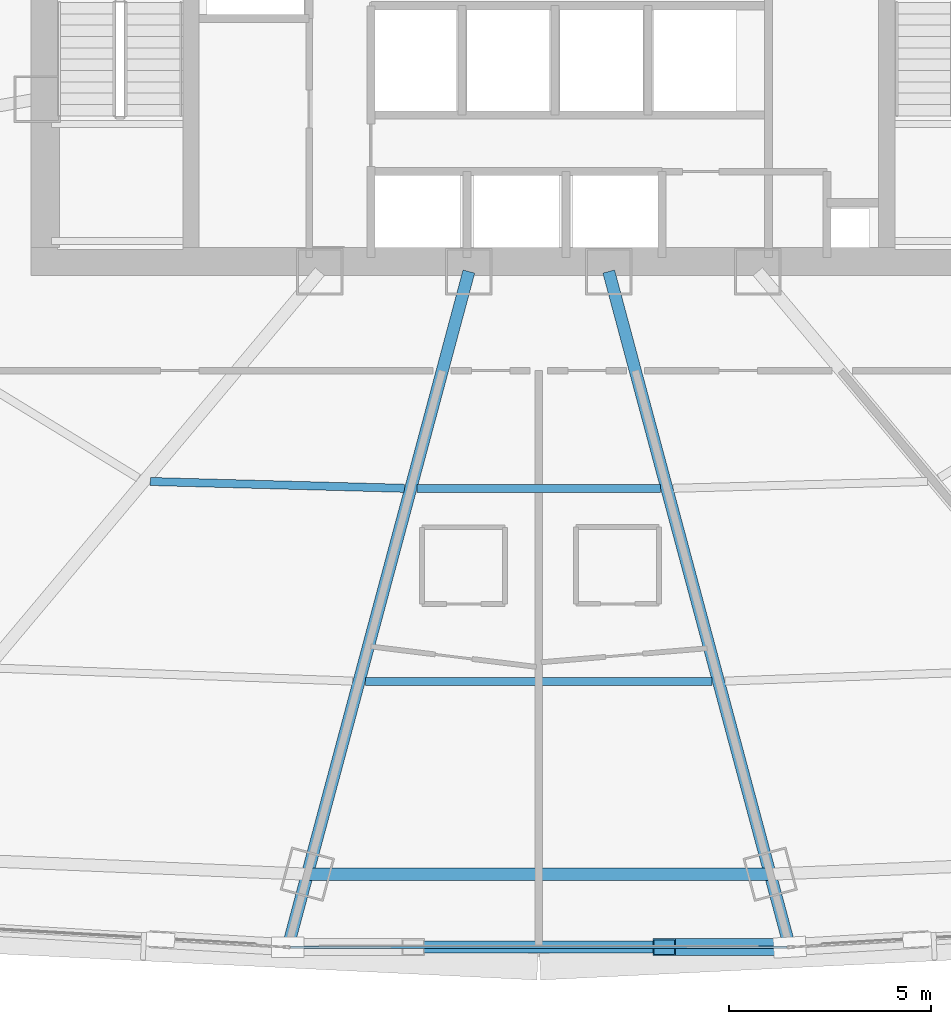
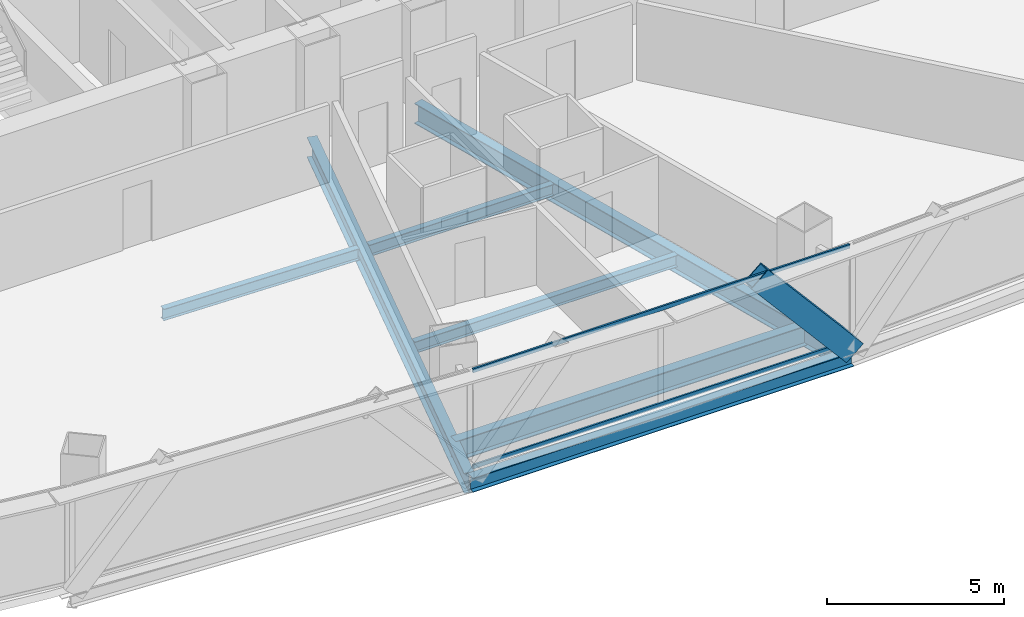
# One storey, part 9 of 38: 7 beams, 3 members, 1 element without a shape of its own.
"""IFC4 building model written with IfcOpenShell, lengths in metres."""

from ifc_helpers import new_model, si_unit, direction, frame, origin, origin_2d, place, context, subcontext, project, spatial, hollow_rectangle, i_section, extrude, source, transform, mapped, material, layer, layer_set, material_profile, profile_set, type_object, element, aggregate, save


model = new_model("IFC4")

# Units and contexts
model_context = context("Model", 3, precision=1e-05, world=origin(), true_north=direction((0.0, 1.0)))
body_context = subcontext(model_context, "Body", "Model", "MODEL_VIEW")
ifc_project = project(units=[si_unit("LENGTHUNIT", "METRE"), si_unit("AREAUNIT", "SQUARE_METRE"), si_unit("VOLUMEUNIT", "CUBIC_METRE"), si_unit("PLANEANGLEUNIT", "RADIAN"), si_unit("MASSUNIT", "GRAM", prefix="KILO"), si_unit("THERMODYNAMICTEMPERATUREUNIT", "KELVIN"), si_unit("POWERUNIT", "WATT")], contexts=[model_context])

# Site, building, storey
site_placement = place(None, origin())
site = spatial("IfcSite", under=ifc_project, at=site_placement, CompositionType="ELEMENT")
building_placement = place(site_placement, origin())
building = spatial("IfcBuilding", under=site, at=building_placement, Name="Yunzhuo Pagoda Commons", CompositionType="ELEMENT")
storey_placement = place(building_placement, frame((0.0, 0.0, 34.030029296875)))
storey = spatial("IfcBuildingStorey", under=building, at=storey_placement, Name="L08", CompositionType="ELEMENT", Elevation=34.030029296875)

# Beams
ifc_material_1 = material(Name="Structural steel Q355B", Category="steel")
ifc_material_profile_1 = material_profile(ifc_material_1, i_section(OverallWidth=0.300048828125, OverallDepth=0.699951171875, WebThickness=0.012939453125, FlangeThickness=0.02392578125, at=origin_2d()), Name="Structural steel Q355B")
ifc_profile_set_1 = profile_set([ifc_material_profile_1], Name="Structural steel Q355B")
beam_type_1 = type_object("IfcBeamType", Name="B-RG1 Beam HN 700x300x13x24", PredefinedType="BEAM", material=ifc_profile_set_1)
shared_shape_1 = source(origin(), body_context, "Body", "SweptSolid", [
    extrude(i_section(OverallWidth=0.300048828125, OverallDepth=0.699951171875, WebThickness=0.012939453125, FlangeThickness=0.02392578125, at=origin_2d()), origin(), (0.0, 0.0, 1.0), 11.4404296875),
])
beam_1_placement = place(storey_placement, frame((42.27978515625, 12.35205078125, -0.610107421875), z_axis=(1.0, 0.0, 0.0), x_axis=(0.0, 1.0, 0.0)))
element("IfcBeam", 1, at=beam_1_placement, inside=storey, type_object=beam_type_1, Name="L08 column-ring beam 2", PredefinedType="BEAM", context=body_context, shape_type="MappedRepresentation", body=[
    mapped(shared_shape_1, transform((0.0, 0.0, 0.0), scale=1.0)),
])
shared_shape_2 = source(origin(), body_context, "Body", "SweptSolid", [
    extrude(i_section(OverallWidth=0.300048828125, OverallDepth=0.699951171875, WebThickness=0.012939453125, FlangeThickness=0.02392578125, at=origin_2d()), origin(), (0.0, 0.0, 1.0), 17.135986328125),
])
beam_2_placement = place(storey_placement, frame((41.836669921875, 10.697998046875, -0.610107421875), z_axis=(0.258830325444, 0.96592280366, 0.0), x_axis=(-0.96592280366, 0.258830325444, 0.0)))
element("IfcBeam", 2, at=beam_2_placement, inside=storey, type_object=beam_type_1, Name="L08 radial floor girder F1C2", PredefinedType="BEAM", context=body_context, shape_type="MappedRepresentation", body=[
    mapped(shared_shape_2, transform((0.0, 0.0, 0.0), scale=1.0)),
])
shared_shape_3 = source(origin(), body_context, "Body", "SweptSolid", [
    extrude(i_section(OverallWidth=0.300048828125, OverallDepth=0.699951171875, WebThickness=0.012939453125, FlangeThickness=0.02392578125, at=origin_2d()), origin(), (0.0, 0.0, 1.0), 17.1357421875),
])
beam_3_placement = place(storey_placement, frame((54.163330078125, 10.697998046875, -0.610107421875), z_axis=(-0.25880373953, 0.965929927275, 0.0), x_axis=(-0.965929927275, -0.25880373953, 0.0)))
element("IfcBeam", 3, at=beam_3_placement, inside=storey, type_object=beam_type_1, Name="L08 radial floor girder F1C3", PredefinedType="BEAM", context=body_context, shape_type="MappedRepresentation", body=[
    mapped(shared_shape_3, transform((0.0, 0.0, 0.0), scale=1.0)),
])
ifc_material_profile_2 = material_profile(ifc_material_1, i_section(OverallWidth=0.300048828125, OverallDepth=0.488037109375, WebThickness=0.010986328125, FlangeThickness=0.01806640625, at=origin_2d()), Name="Structural steel Q355B")
ifc_profile_set_2 = profile_set([ifc_material_profile_2], Name="Structural steel Q355B")
beam_type_2 = type_object("IfcBeamType", Name="B-SP1 Beam HM 488x300x11x18", PredefinedType="BEAM", material=ifc_profile_set_2)
shared_shape_4 = source(origin(), body_context, "Body", "SweptSolid", [
    extrude(i_section(OverallWidth=0.300048828125, OverallDepth=0.488037109375, WebThickness=0.010986328125, FlangeThickness=0.01806640625, at=origin_2d()), origin(), (0.0, 0.0, 1.0), 12.4072265625),
])
beam_4_placement = place(storey_placement, frame((41.79638671875, 10.548095703125, -0.504150390625), z_axis=(1.0, 0.0, 0.0), x_axis=(0.0, 1.0, 0.0)))
element("IfcBeam", 4, at=beam_4_placement, inside=storey, type_object=beam_type_2, Name="L08 facade edge spandrel beam F1.2", PredefinedType="BEAM", context=body_context, shape_type="MappedRepresentation", body=[
    mapped(shared_shape_4, transform((0.0, 0.0, 0.0), scale=1.0)),
])
ifc_material_profile_3 = material_profile(ifc_material_1, i_section(OverallWidth=0.199951171875, OverallDepth=0.39990234375, WebThickness=0.008056640625, FlangeThickness=0.012939453125, at=origin_2d()), Name="Structural steel Q355B")
ifc_profile_set_3 = profile_set([ifc_material_profile_3], Name="Structural steel Q355B")
beam_type_3 = type_object("IfcBeamType", Name="B-JS1 Joist HN 400x200x8x13", PredefinedType="JOIST", material=ifc_profile_set_3)
shared_shape_5 = source(origin(), body_context, "Body", "SweptSolid", [
    extrude(i_section(OverallWidth=0.199951171875, OverallDepth=0.39990234375, WebThickness=0.008056640625, FlangeThickness=0.012939453125, at=origin_2d()), origin(), (0.0, 0.0, 1.0), 6.28271484375),
])
beam_5_placement = place(storey_placement, frame((38.395263671875, 22.06005859375, -0.4599609375), z_axis=(0.999638393847, -0.026890175648, 0.0), x_axis=(0.026890175648, 0.999638393847, 0.0)))
element("IfcBeam", 5, at=beam_5_placement, inside=storey, type_object=beam_type_3, Name="L08 composite ring joist 1.1", PredefinedType="JOIST", context=body_context, shape_type="MappedRepresentation", body=[
    mapped(shared_shape_5, transform((0.0, 0.0, 0.0), scale=1.0)),
])
shared_shape_6 = source(origin(), body_context, "Body", "SweptSolid", [
    extrude(i_section(OverallWidth=0.199951171875, OverallDepth=0.39990234375, WebThickness=0.008056640625, FlangeThickness=0.012939453125, at=origin_2d()), origin(), (0.0, 0.0, 1.0), 6.0126953125),
])
beam_6_placement = place(storey_placement, frame((44.99365234375, 21.88671875, -0.4599609375), z_axis=(1.0, 0.0, 0.0), x_axis=(0.0, 1.0, 0.0)))
element("IfcBeam", 6, at=beam_6_placement, inside=storey, type_object=beam_type_3, Name="L08 composite ring joist 1.2", PredefinedType="JOIST", context=body_context, shape_type="MappedRepresentation", body=[
    mapped(shared_shape_6, transform((0.0, 0.0, 0.0), scale=1.0)),
])
shared_shape_7 = source(origin(), body_context, "Body", "SweptSolid", [
    extrude(i_section(OverallWidth=0.199951171875, OverallDepth=0.39990234375, WebThickness=0.008056640625, FlangeThickness=0.012939453125, at=origin_2d()), origin(), (0.0, 0.0, 1.0), 8.5673828125),
])
beam_7_placement = place(storey_placement, frame((43.71630859375, 17.119384765625, -0.4599609375), z_axis=(1.0, 0.0, 0.0), x_axis=(0.0, 1.0, 0.0)))
element("IfcBeam", 7, at=beam_7_placement, inside=storey, type_object=beam_type_3, Name="L08 composite ring joist 2.2", PredefinedType="JOIST", context=body_context, shape_type="MappedRepresentation", body=[
    mapped(shared_shape_7, transform((0.0, 0.0, 0.0), scale=1.0)),
])

# Member
ifc_material_2 = material(Name="Structural steel Q420B", Category="steel")
ifc_material_profile_4 = material_profile(ifc_material_2, hollow_rectangle(XDim=0.419921875, YDim=0.719970703125, WallThickness=0.028076171875, at=origin_2d()), Name="Structural steel Q420B")
ifc_profile_set_4 = profile_set([ifc_material_profile_4], Name="Structural steel Q420B")
member_type_1 = type_object("IfcMemberType", Name="M-DL1 Brace BOX 720x420x28", PredefinedType="BRACE", material=ifc_profile_set_4)
shared_shape_8 = source(origin(), body_context, "Body", "SweptSolid", [
    extrude(hollow_rectangle(XDim=0.419921875, YDim=0.719970703125, WallThickness=0.028076171875, at=origin_2d()), origin(), (0.0, 0.0, 1.0), 4.7744140625),
])
member_1_placement = place(storey_placement, frame((54.20361328125, 10.548095703125, -0.259765625), z_axis=(-0.649666298167, 0.0, 0.760219508449), x_axis=(0.0, -1.0, 0.0)))
element("IfcMember", 8, at=member_1_placement, inside=storey, type_object=member_type_1, Name="L08 facade diamond brace F1.2R", PredefinedType="BRACE", context=body_context, shape_type="MappedRepresentation", body=[
    mapped(shared_shape_8, transform((0.0, 0.0, 0.0), scale=1.0)),
])

# Curtain wall, members
ifc_material_3 = material(Name="Anodized aluminium 6063-T6", Category="aluminium")
ifc_layer = layer(ifc_material_3, 0.1650390625)
ifc_layer_set = layer_set([ifc_layer], Name="Anodized aluminium 6063-T6")
curtain_wall_type = type_object("IfcCurtainWallType", Name="CW-LOW Low-Zone Ribbon Curtain Wall", PredefinedType="NOTDEFINED", material=ifc_layer_set)
curtain_wall_placement = place(storey_placement, origin())
curtain_wall = element("IfcCurtainWall", 9, at=curtain_wall_placement, inside=storey, type_object=curtain_wall_type, Name="L08 curtain wall CW-L08-F1B3", PredefinedType="NOTDEFINED")
ifc_material_profile_5 = material_profile(ifc_material_3, hollow_rectangle(XDim=0.06005859375, YDim=0.139892578125, WallThickness=0.00341796875, at=origin_2d()), Name="Anodized aluminium 6063-T6")
ifc_profile_set_5 = profile_set([ifc_material_profile_5], Name="Anodized aluminium 6063-T6")
member_type_2 = type_object("IfcMemberType", Name="CW-LOW-T Transom RHS 140x60x3.5", PredefinedType="USERDEFINED", material=ifc_profile_set_5)
shared_shape_9 = source(origin(), body_context, "Body", "SweptSolid", [
    extrude(hollow_rectangle(XDim=0.06005859375, YDim=0.139892578125, WallThickness=0.00341796875, at=origin_2d()), origin(), (0.0, 0.0, 1.0), 12.27685546875),
])
member_2_placement = place(storey_placement, frame((41.861572265625, 10.548095703125, 0.030029296875), z_axis=(1.0, 0.0, 0.0), x_axis=(0.0, 1.0, 0.0)))
member_2 = element("IfcMember", 10, at=member_2_placement, type_object=member_type_2, Name="CW transom 1.1", ObjectType="TRANSOM", PredefinedType="USERDEFINED", context=body_context, shape_type="MappedRepresentation", body=[
    mapped(shared_shape_9, transform((0.0, 0.0, 0.0), scale=1.0)),
])
member_3_placement = place(storey_placement, frame((41.861572265625, 10.548095703125, 3.340087890625), z_axis=(1.0, 0.0, 0.0), x_axis=(0.0, 1.0, 0.0)))
member_3 = element("IfcMember", 11, at=member_3_placement, type_object=member_type_2, Name="CW transom 1.2", ObjectType="TRANSOM", PredefinedType="USERDEFINED", context=body_context, shape_type="MappedRepresentation", body=[
    mapped(shared_shape_9, transform((0.0, 0.0, 0.0), scale=1.0)),
])
aggregate(curtain_wall, [member_2, member_3])

save(model, "model.ifc")
